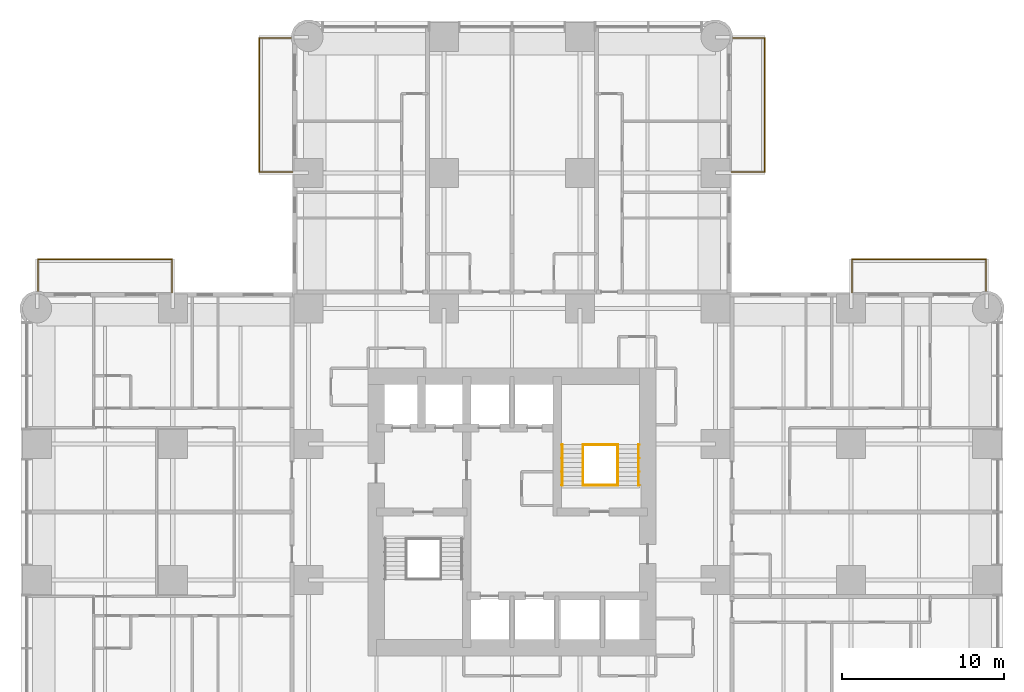
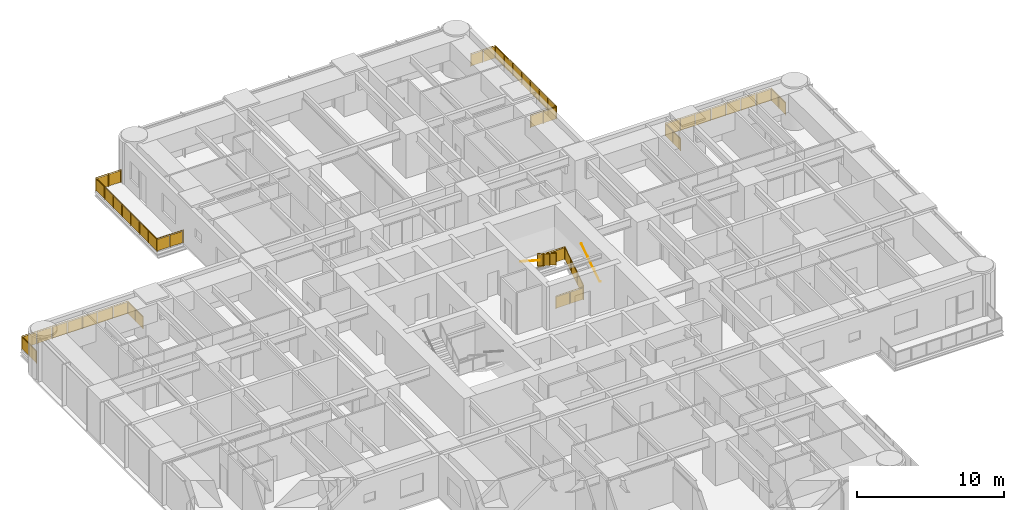
# One storey, part 17 of 17: 10 railings.
"""IFC4 building model written with IfcOpenShell, lengths in metres."""

from ifc_helpers import new_model, si_unit, direction, frame, origin, origin_2d, place, context, subcontext, project, spatial, polyline, circle, outline, extrude, material, constituent, constituent_set, type_object, element, save


model = new_model("IFC4")

# Units and contexts
model_context = context("Model", 3, precision=1e-05, world=origin(), true_north=direction((0.0, 1.0)))
body_context = subcontext(model_context, "Body", "Model", "MODEL_VIEW")
ifc_project = project(units=[si_unit("LENGTHUNIT", "METRE"), si_unit("AREAUNIT", "SQUARE_METRE"), si_unit("VOLUMEUNIT", "CUBIC_METRE"), si_unit("PLANEANGLEUNIT", "RADIAN"), si_unit("MASSUNIT", "GRAM", prefix="KILO")], contexts=[model_context])

# Site, building, storey
site_placement = place(None, origin())
site = spatial("IfcSite", under=ifc_project, at=site_placement, CompositionType="ELEMENT")
building_placement = place(site_placement, origin())
building = spatial("IfcBuilding", under=site, at=building_placement, Name="Torre Alcanfor", CompositionType="ELEMENT")
storey_placement = place(building_placement, frame((0.0, 0.0, 92.10009765625)))
storey = spatial("IfcBuildingStorey", under=building, at=storey_placement, Name="L23", CompositionType="ELEMENT", Elevation=92.10009765625)

# Railings
ifc_material_1 = material(Name="Laminated safety glass", Category="glass")
ifc_constituent_1 = constituent(ifc_material_1, Name="Infill")
ifc_material_2 = material(Name="Stainless steel ASTM A554 Grade MT 316L tube", Category="steel")
ifc_constituent_2 = constituent(ifc_material_2, Name="Posts and rail")
ifc_constituent_set = constituent_set(constituents=[ifc_constituent_1, ifc_constituent_2], Name="Balcony guard glass 1100")
railing_type_1 = type_object("IfcRailingType", Name="Balcony guard glass 1100", PredefinedType="BALUSTRADE", material=ifc_constituent_set)
railing_1_placement = place(storey_placement, frame((15.800048828125, 50.449951171875, 0.0)))
element("IfcRailing", 1, at=railing_1_placement, inside=storey, type_object=railing_type_1, Name="Balcony guard L23-N1", PredefinedType="BALUSTRADE", context=body_context, shape_type="SweptSolid", body=[
    extrude(circle(Radius=0.02392578125, at=origin_2d()), frame((0.0, 0.0, 1.076171875), z_axis=(-1.0, 0.0, 0.0), x_axis=(0.0, -1.0, 0.0)), (0.0, 0.0, 1.0), 2.050048828125),
    extrude(circle(Radius=0.02392578125, at=origin_2d()), frame((-2.050048828125, 0.0, 1.076171875), z_axis=(0.0, 1.0, 0.0), x_axis=(-1.0, 0.0, 0.0)), (0.0, 0.0, 1.0), 8.300048828125),
    extrude(circle(Radius=0.02392578125, at=origin_2d()), frame((-2.050048828125, 8.300048828125, 1.076171875), z_axis=(1.0, 0.0, 0.0), x_axis=(0.0, 1.0, 0.0)), (0.0, 0.0, 1.0), 1.968994140625),
    extrude(circle(Radius=0.02099609375, at=origin_2d()), origin(), (0.0, 0.0, 1.0), 1.052001953125),
    extrude(circle(Radius=0.02099609375, at=origin_2d()), frame((-1.02490234375, 0.0, 0.0)), (0.0, 0.0, 1.0), 1.052001953125),
    extrude(circle(Radius=0.02099609375, at=origin_2d()), frame((-2.050048828125, 0.0, 0.0)), (0.0, 0.0, 1.0), 1.052001953125),
    extrude(circle(Radius=0.02099609375, at=origin_2d()), frame((-2.050048828125, 1.185791015625, 0.0)), (0.0, 0.0, 1.0), 1.052001953125),
    extrude(circle(Radius=0.02099609375, at=origin_2d()), frame((-2.050048828125, 2.371337890625, 0.0)), (0.0, 0.0, 1.0), 1.052001953125),
    extrude(circle(Radius=0.02099609375, at=origin_2d()), frame((-2.050048828125, 3.55712890625, 0.0)), (0.0, 0.0, 1.0), 1.052001953125),
    extrude(circle(Radius=0.02099609375, at=origin_2d()), frame((-2.050048828125, 4.742919921875, 0.0)), (0.0, 0.0, 1.0), 1.052001953125),
    extrude(circle(Radius=0.02099609375, at=origin_2d()), frame((-2.050048828125, 5.9287109375, 0.0)), (0.0, 0.0, 1.0), 1.052001953125),
    extrude(circle(Radius=0.02099609375, at=origin_2d()), frame((-2.050048828125, 7.1142578125, 0.0)), (0.0, 0.0, 1.0), 1.052001953125),
    extrude(circle(Radius=0.02099609375, at=origin_2d()), frame((-2.050048828125, 8.300048828125, 0.0)), (0.0, 0.0, 1.0), 1.052001953125),
    extrude(circle(Radius=0.02099609375, at=origin_2d()), frame((-1.0654296875, 8.300048828125, 0.0)), (0.0, 0.0, 1.0), 1.052001953125),
    extrude(circle(Radius=0.02099609375, at=origin_2d()), frame((-0.0810546875, 8.300048828125, 0.0)), (0.0, 0.0, 1.0), 1.052001953125),
    extrude(outline(polyline([(0.041015625, 0.050048828125), (0.984130859375, 0.050048828125), (0.984130859375, 1.001953125), (0.041015625, 1.001953125), (0.041015625, 0.050048828125)])), frame((0.0, -0.005859375, 0.0), z_axis=(0.0, 1.0, 0.0), x_axis=(-1.0, 0.0, 0.0)), (0.0, 0.0, 1.0), 0.011962890625),
    extrude(outline(polyline([(1.06591796875, 0.050048828125), (2.009033203125, 0.050048828125), (2.009033203125, 1.001953125), (1.06591796875, 1.001953125), (1.06591796875, 0.050048828125)])), frame((0.0, -0.005859375, 0.0), z_axis=(0.0, 1.0, 0.0), x_axis=(-1.0, 0.0, 0.0)), (0.0, 0.0, 1.0), 0.011962890625),
    extrude(outline(polyline([(0.041015625, 0.050048828125), (1.144775390625, 0.050048828125), (1.144775390625, 1.001953125), (0.041015625, 1.001953125), (0.041015625, 0.050048828125)])), frame((-2.05615234375, 0.0, 0.0), z_axis=(1.0, 0.0, 0.0), x_axis=(0.0, 1.0, 0.0)), (0.0, 0.0, 1.0), 0.011962890625),
    extrude(outline(polyline([(1.226806640625, 0.050048828125), (2.330322265625, 0.050048828125), (2.330322265625, 1.001953125), (1.226806640625, 1.001953125), (1.226806640625, 0.050048828125)])), frame((-2.05615234375, 0.0, 0.0), z_axis=(1.0, 0.0, 0.0), x_axis=(0.0, 1.0, 0.0)), (0.0, 0.0, 1.0), 0.011962890625),
    extrude(outline(polyline([(2.412353515625, 0.050048828125), (3.51611328125, 0.050048828125), (3.51611328125, 1.001953125), (2.412353515625, 1.001953125), (2.412353515625, 0.050048828125)])), frame((-2.05615234375, 0.0, 0.0), z_axis=(1.0, 0.0, 0.0), x_axis=(0.0, 1.0, 0.0)), (0.0, 0.0, 1.0), 0.011962890625),
    extrude(outline(polyline([(3.59814453125, 0.050048828125), (4.701904296875, 0.050048828125), (4.701904296875, 1.001953125), (3.59814453125, 1.001953125), (3.59814453125, 0.050048828125)])), frame((-2.05615234375, 0.0, 0.0), z_axis=(1.0, 0.0, 0.0), x_axis=(0.0, 1.0, 0.0)), (0.0, 0.0, 1.0), 0.011962890625),
    extrude(outline(polyline([(4.783935546875, 0.050048828125), (5.8876953125, 0.050048828125), (5.8876953125, 1.001953125), (4.783935546875, 1.001953125), (4.783935546875, 0.050048828125)])), frame((-2.05615234375, 0.0, 0.0), z_axis=(1.0, 0.0, 0.0), x_axis=(0.0, 1.0, 0.0)), (0.0, 0.0, 1.0), 0.011962890625),
    extrude(outline(polyline([(5.9697265625, 0.050048828125), (7.0732421875, 0.050048828125), (7.0732421875, 1.001953125), (5.9697265625, 1.001953125), (5.9697265625, 0.050048828125)])), frame((-2.05615234375, 0.0, 0.0), z_axis=(1.0, 0.0, 0.0), x_axis=(0.0, 1.0, 0.0)), (0.0, 0.0, 1.0), 0.011962890625),
    extrude(outline(polyline([(7.1552734375, 0.050048828125), (8.259033203125, 0.050048828125), (8.259033203125, 1.001953125), (7.1552734375, 1.001953125), (7.1552734375, 0.050048828125)])), frame((-2.05615234375, 0.0, 0.0), z_axis=(1.0, 0.0, 0.0), x_axis=(0.0, 1.0, 0.0)), (0.0, 0.0, 1.0), 0.011962890625),
    extrude(outline(polyline([(0.041015625, 0.050048828125), (0.943603515625, 0.050048828125), (0.943603515625, 1.001953125), (0.041015625, 1.001953125), (0.041015625, 0.050048828125)])), frame((-2.050048828125, 8.30615234375, 0.0), z_axis=(0.0, -1.0, 0.0), x_axis=(1.0, 0.0, 0.0)), (0.0, 0.0, 1.0), 0.011962890625),
    extrude(outline(polyline([(1.025390625, 0.050048828125), (1.927978515625, 0.050048828125), (1.927978515625, 1.001953125), (1.025390625, 1.001953125), (1.025390625, 0.050048828125)])), frame((-2.050048828125, 8.30615234375, 0.0), z_axis=(0.0, -1.0, 0.0), x_axis=(1.0, 0.0, 0.0)), (0.0, 0.0, 1.0), 0.011962890625),
])
railing_2_placement = place(storey_placement, frame((43.0, 50.449951171875, 0.0)))
element("IfcRailing", 2, at=railing_2_placement, inside=storey, type_object=railing_type_1, Name="Balcony guard L23-N2", PredefinedType="BALUSTRADE", context=body_context, shape_type="SweptSolid", body=[
    extrude(circle(Radius=0.02392578125, at=origin_2d()), frame((0.0, 0.0, 1.076171875), z_axis=(1.0, 0.0, 0.0), x_axis=(0.0, 1.0, 0.0)), (0.0, 0.0, 1.0), 2.050048828125),
    extrude(circle(Radius=0.02392578125, at=origin_2d()), frame((2.050048828125, 0.0, 1.076171875), z_axis=(0.0, 1.0, 0.0), x_axis=(-1.0, 0.0, 0.0)), (0.0, 0.0, 1.0), 8.300048828125),
    extrude(circle(Radius=0.02392578125, at=origin_2d()), frame((2.050048828125, 8.300048828125, 1.076171875), z_axis=(-1.0, 0.0, 0.0), x_axis=(0.0, -1.0, 0.0)), (0.0, 0.0, 1.0), 1.968994140625),
    extrude(circle(Radius=0.02099609375, at=origin_2d()), origin(), (0.0, 0.0, 1.0), 1.052001953125),
    extrude(circle(Radius=0.02099609375, at=origin_2d()), frame((1.02490234375, 0.0, 0.0)), (0.0, 0.0, 1.0), 1.052001953125),
    extrude(circle(Radius=0.02099609375, at=origin_2d()), frame((2.050048828125, 0.0, 0.0)), (0.0, 0.0, 1.0), 1.052001953125),
    extrude(circle(Radius=0.02099609375, at=origin_2d()), frame((2.050048828125, 1.185791015625, 0.0)), (0.0, 0.0, 1.0), 1.052001953125),
    extrude(circle(Radius=0.02099609375, at=origin_2d()), frame((2.050048828125, 2.371337890625, 0.0)), (0.0, 0.0, 1.0), 1.052001953125),
    extrude(circle(Radius=0.02099609375, at=origin_2d()), frame((2.050048828125, 3.55712890625, 0.0)), (0.0, 0.0, 1.0), 1.052001953125),
    extrude(circle(Radius=0.02099609375, at=origin_2d()), frame((2.050048828125, 4.742919921875, 0.0)), (0.0, 0.0, 1.0), 1.052001953125),
    extrude(circle(Radius=0.02099609375, at=origin_2d()), frame((2.050048828125, 5.9287109375, 0.0)), (0.0, 0.0, 1.0), 1.052001953125),
    extrude(circle(Radius=0.02099609375, at=origin_2d()), frame((2.050048828125, 7.1142578125, 0.0)), (0.0, 0.0, 1.0), 1.052001953125),
    extrude(circle(Radius=0.02099609375, at=origin_2d()), frame((2.050048828125, 8.300048828125, 0.0)), (0.0, 0.0, 1.0), 1.052001953125),
    extrude(circle(Radius=0.02099609375, at=origin_2d()), frame((1.0654296875, 8.300048828125, 0.0)), (0.0, 0.0, 1.0), 1.052001953125),
    extrude(circle(Radius=0.02099609375, at=origin_2d()), frame((0.0810546875, 8.300048828125, 0.0)), (0.0, 0.0, 1.0), 1.052001953125),
    extrude(outline(polyline([(0.041015625, 0.050048828125), (0.984130859375, 0.050048828125), (0.984130859375, 1.001953125), (0.041015625, 1.001953125), (0.041015625, 0.050048828125)])), frame((0.0, 0.005859375, 0.0), z_axis=(0.0, -1.0, 0.0), x_axis=(1.0, 0.0, 0.0)), (0.0, 0.0, 1.0), 0.011962890625),
    extrude(outline(polyline([(1.06591796875, 0.050048828125), (2.009033203125, 0.050048828125), (2.009033203125, 1.001953125), (1.06591796875, 1.001953125), (1.06591796875, 0.050048828125)])), frame((0.0, 0.005859375, 0.0), z_axis=(0.0, -1.0, 0.0), x_axis=(1.0, 0.0, 0.0)), (0.0, 0.0, 1.0), 0.011962890625),
    extrude(outline(polyline([(0.041015625, 0.050048828125), (1.144775390625, 0.050048828125), (1.144775390625, 1.001953125), (0.041015625, 1.001953125), (0.041015625, 0.050048828125)])), frame((2.0439453125, 0.0, 0.0), z_axis=(1.0, 0.0, 0.0), x_axis=(0.0, 1.0, 0.0)), (0.0, 0.0, 1.0), 0.011962890625),
    extrude(outline(polyline([(1.226806640625, 0.050048828125), (2.330322265625, 0.050048828125), (2.330322265625, 1.001953125), (1.226806640625, 1.001953125), (1.226806640625, 0.050048828125)])), frame((2.0439453125, 0.0, 0.0), z_axis=(1.0, 0.0, 0.0), x_axis=(0.0, 1.0, 0.0)), (0.0, 0.0, 1.0), 0.011962890625),
    extrude(outline(polyline([(2.412353515625, 0.050048828125), (3.51611328125, 0.050048828125), (3.51611328125, 1.001953125), (2.412353515625, 1.001953125), (2.412353515625, 0.050048828125)])), frame((2.0439453125, 0.0, 0.0), z_axis=(1.0, 0.0, 0.0), x_axis=(0.0, 1.0, 0.0)), (0.0, 0.0, 1.0), 0.011962890625),
    extrude(outline(polyline([(3.59814453125, 0.050048828125), (4.701904296875, 0.050048828125), (4.701904296875, 1.001953125), (3.59814453125, 1.001953125), (3.59814453125, 0.050048828125)])), frame((2.0439453125, 0.0, 0.0), z_axis=(1.0, 0.0, 0.0), x_axis=(0.0, 1.0, 0.0)), (0.0, 0.0, 1.0), 0.011962890625),
    extrude(outline(polyline([(4.783935546875, 0.050048828125), (5.8876953125, 0.050048828125), (5.8876953125, 1.001953125), (4.783935546875, 1.001953125), (4.783935546875, 0.050048828125)])), frame((2.0439453125, 0.0, 0.0), z_axis=(1.0, 0.0, 0.0), x_axis=(0.0, 1.0, 0.0)), (0.0, 0.0, 1.0), 0.011962890625),
    extrude(outline(polyline([(5.9697265625, 0.050048828125), (7.0732421875, 0.050048828125), (7.0732421875, 1.001953125), (5.9697265625, 1.001953125), (5.9697265625, 0.050048828125)])), frame((2.0439453125, 0.0, 0.0), z_axis=(1.0, 0.0, 0.0), x_axis=(0.0, 1.0, 0.0)), (0.0, 0.0, 1.0), 0.011962890625),
    extrude(outline(polyline([(7.1552734375, 0.050048828125), (8.259033203125, 0.050048828125), (8.259033203125, 1.001953125), (7.1552734375, 1.001953125), (7.1552734375, 0.050048828125)])), frame((2.0439453125, 0.0, 0.0), z_axis=(1.0, 0.0, 0.0), x_axis=(0.0, 1.0, 0.0)), (0.0, 0.0, 1.0), 0.011962890625),
    extrude(outline(polyline([(0.041015625, 0.050048828125), (0.943603515625, 0.050048828125), (0.943603515625, 1.001953125), (0.041015625, 1.001953125), (0.041015625, 0.050048828125)])), frame((2.050048828125, 8.2939453125, 0.0), z_axis=(0.0, 1.0, 0.0), x_axis=(-1.0, 0.0, 0.0)), (0.0, 0.0, 1.0), 0.011962890625),
    extrude(outline(polyline([(1.025390625, 0.050048828125), (1.927978515625, 0.050048828125), (1.927978515625, 1.001953125), (1.025390625, 1.001953125), (1.025390625, 0.050048828125)])), frame((2.050048828125, 8.2939453125, 0.0), z_axis=(0.0, 1.0, 0.0), x_axis=(-1.0, 0.0, 0.0)), (0.0, 0.0, 1.0), 0.011962890625),
])
railing_3_placement = place(storey_placement, frame((50.449951171875, 43.0, 0.0)))
element("IfcRailing", 3, at=railing_3_placement, inside=storey, type_object=railing_type_1, Name="Balcony guard L23-E1", PredefinedType="BALUSTRADE", context=body_context, shape_type="SweptSolid", body=[
    extrude(circle(Radius=0.02392578125, at=origin_2d()), frame((0.0, 0.0, 1.076171875), z_axis=(0.0, 1.0, 0.0), x_axis=(-1.0, 0.0, 0.0)), (0.0, 0.0, 1.0), 2.050048828125),
    extrude(circle(Radius=0.02392578125, at=origin_2d()), frame((0.0, 2.050048828125, 1.076171875), z_axis=(1.0, 0.0, 0.0), x_axis=(0.0, 1.0, 0.0)), (0.0, 0.0, 1.0), 8.300048828125),
    extrude(circle(Radius=0.02392578125, at=origin_2d()), frame((8.300048828125, 2.050048828125, 1.076171875), z_axis=(0.0, -1.0, 0.0), x_axis=(1.0, 0.0, 0.0)), (0.0, 0.0, 1.0), 1.968994140625),
    extrude(circle(Radius=0.02099609375, at=origin_2d()), origin(), (0.0, 0.0, 1.0), 1.052001953125),
    extrude(circle(Radius=0.02099609375, at=origin_2d()), frame((0.0, 1.02490234375, 0.0)), (0.0, 0.0, 1.0), 1.052001953125),
    extrude(circle(Radius=0.02099609375, at=origin_2d()), frame((0.0, 2.050048828125, 0.0)), (0.0, 0.0, 1.0), 1.052001953125),
    extrude(circle(Radius=0.02099609375, at=origin_2d()), frame((1.185791015625, 2.050048828125, 0.0)), (0.0, 0.0, 1.0), 1.052001953125),
    extrude(circle(Radius=0.02099609375, at=origin_2d()), frame((2.371337890625, 2.050048828125, 0.0)), (0.0, 0.0, 1.0), 1.052001953125),
    extrude(circle(Radius=0.02099609375, at=origin_2d()), frame((3.55712890625, 2.050048828125, 0.0)), (0.0, 0.0, 1.0), 1.052001953125),
    extrude(circle(Radius=0.02099609375, at=origin_2d()), frame((4.742919921875, 2.050048828125, 0.0)), (0.0, 0.0, 1.0), 1.052001953125),
    extrude(circle(Radius=0.02099609375, at=origin_2d()), frame((5.9287109375, 2.050048828125, 0.0)), (0.0, 0.0, 1.0), 1.052001953125),
    extrude(circle(Radius=0.02099609375, at=origin_2d()), frame((7.1142578125, 2.050048828125, 0.0)), (0.0, 0.0, 1.0), 1.052001953125),
    extrude(circle(Radius=0.02099609375, at=origin_2d()), frame((8.300048828125, 2.050048828125, 0.0)), (0.0, 0.0, 1.0), 1.052001953125),
    extrude(circle(Radius=0.02099609375, at=origin_2d()), frame((8.300048828125, 1.0654296875, 0.0)), (0.0, 0.0, 1.0), 1.052001953125),
    extrude(circle(Radius=0.02099609375, at=origin_2d()), frame((8.300048828125, 0.0810546875, 0.0)), (0.0, 0.0, 1.0), 1.052001953125),
    extrude(outline(polyline([(0.041015625, 0.050048828125), (0.984130859375, 0.050048828125), (0.984130859375, 1.001953125), (0.041015625, 1.001953125), (0.041015625, 0.050048828125)])), frame((-0.005859375, 0.0, 0.0), z_axis=(1.0, 0.0, 0.0), x_axis=(0.0, 1.0, 0.0)), (0.0, 0.0, 1.0), 0.011962890625),
    extrude(outline(polyline([(1.06591796875, 0.050048828125), (2.009033203125, 0.050048828125), (2.009033203125, 1.001953125), (1.06591796875, 1.001953125), (1.06591796875, 0.050048828125)])), frame((-0.005859375, 0.0, 0.0), z_axis=(1.0, 0.0, 0.0), x_axis=(0.0, 1.0, 0.0)), (0.0, 0.0, 1.0), 0.011962890625),
    extrude(outline(polyline([(0.041015625, 0.050048828125), (1.144775390625, 0.050048828125), (1.144775390625, 1.001953125), (0.041015625, 1.001953125), (0.041015625, 0.050048828125)])), frame((0.0, 2.05615234375, 0.0), z_axis=(0.0, -1.0, 0.0), x_axis=(1.0, 0.0, 0.0)), (0.0, 0.0, 1.0), 0.011962890625),
    extrude(outline(polyline([(1.226806640625, 0.050048828125), (2.330322265625, 0.050048828125), (2.330322265625, 1.001953125), (1.226806640625, 1.001953125), (1.226806640625, 0.050048828125)])), frame((0.0, 2.05615234375, 0.0), z_axis=(0.0, -1.0, 0.0), x_axis=(1.0, 0.0, 0.0)), (0.0, 0.0, 1.0), 0.011962890625),
    extrude(outline(polyline([(2.412353515625, 0.050048828125), (3.51611328125, 0.050048828125), (3.51611328125, 1.001953125), (2.412353515625, 1.001953125), (2.412353515625, 0.050048828125)])), frame((0.0, 2.05615234375, 0.0), z_axis=(0.0, -1.0, 0.0), x_axis=(1.0, 0.0, 0.0)), (0.0, 0.0, 1.0), 0.011962890625),
    extrude(outline(polyline([(3.59814453125, 0.050048828125), (4.701904296875, 0.050048828125), (4.701904296875, 1.001953125), (3.59814453125, 1.001953125), (3.59814453125, 0.050048828125)])), frame((0.0, 2.05615234375, 0.0), z_axis=(0.0, -1.0, 0.0), x_axis=(1.0, 0.0, 0.0)), (0.0, 0.0, 1.0), 0.011962890625),
    extrude(outline(polyline([(4.783935546875, 0.050048828125), (5.8876953125, 0.050048828125), (5.8876953125, 1.001953125), (4.783935546875, 1.001953125), (4.783935546875, 0.050048828125)])), frame((0.0, 2.05615234375, 0.0), z_axis=(0.0, -1.0, 0.0), x_axis=(1.0, 0.0, 0.0)), (0.0, 0.0, 1.0), 0.011962890625),
    extrude(outline(polyline([(5.9697265625, 0.050048828125), (7.0732421875, 0.050048828125), (7.0732421875, 1.001953125), (5.9697265625, 1.001953125), (5.9697265625, 0.050048828125)])), frame((0.0, 2.05615234375, 0.0), z_axis=(0.0, -1.0, 0.0), x_axis=(1.0, 0.0, 0.0)), (0.0, 0.0, 1.0), 0.011962890625),
    extrude(outline(polyline([(7.1552734375, 0.050048828125), (8.259033203125, 0.050048828125), (8.259033203125, 1.001953125), (7.1552734375, 1.001953125), (7.1552734375, 0.050048828125)])), frame((0.0, 2.05615234375, 0.0), z_axis=(0.0, -1.0, 0.0), x_axis=(1.0, 0.0, 0.0)), (0.0, 0.0, 1.0), 0.011962890625),
    extrude(outline(polyline([(0.041015625, 0.050048828125), (0.943603515625, 0.050048828125), (0.943603515625, 1.001953125), (0.041015625, 1.001953125), (0.041015625, 0.050048828125)])), frame((8.30615234375, 2.050048828125, 0.0), z_axis=(-1.0, 0.0, 0.0), x_axis=(0.0, -1.0, 0.0)), (0.0, 0.0, 1.0), 0.011962890625),
    extrude(outline(polyline([(1.025390625, 0.050048828125), (1.927978515625, 0.050048828125), (1.927978515625, 1.001953125), (1.025390625, 1.001953125), (1.025390625, 0.050048828125)])), frame((8.30615234375, 2.050048828125, 0.0), z_axis=(-1.0, 0.0, 0.0), x_axis=(0.0, -1.0, 0.0)), (0.0, 0.0, 1.0), 0.011962890625),
])
railing_4_placement = place(storey_placement, frame((8.35009765625, 43.0, 0.0)))
element("IfcRailing", 4, at=railing_4_placement, inside=storey, type_object=railing_type_1, Name="Balcony guard L23-W2", PredefinedType="BALUSTRADE", context=body_context, shape_type="SweptSolid", body=[
    extrude(circle(Radius=0.02392578125, at=origin_2d()), frame((0.0, 0.0, 1.076171875), z_axis=(0.0, 1.0, 0.0), x_axis=(-1.0, 0.0, 0.0)), (0.0, 0.0, 1.0), 2.050048828125),
    extrude(circle(Radius=0.02392578125, at=origin_2d()), frame((0.0, 2.050048828125, 1.076171875), z_axis=(-1.0, 0.0, 0.0), x_axis=(0.0, -1.0, 0.0)), (0.0, 0.0, 1.0), 8.300048828125),
    extrude(circle(Radius=0.02392578125, at=origin_2d()), frame((-8.300048828125, 2.050048828125, 1.076171875), z_axis=(0.0, -1.0, 0.0), x_axis=(1.0, 0.0, 0.0)), (0.0, 0.0, 1.0), 1.968994140625),
    extrude(circle(Radius=0.02099609375, at=origin_2d()), origin(), (0.0, 0.0, 1.0), 1.052001953125),
    extrude(circle(Radius=0.02099609375, at=origin_2d()), frame((0.0, 1.02490234375, 0.0)), (0.0, 0.0, 1.0), 1.052001953125),
    extrude(circle(Radius=0.02099609375, at=origin_2d()), frame((0.0, 2.050048828125, 0.0)), (0.0, 0.0, 1.0), 1.052001953125),
    extrude(circle(Radius=0.02099609375, at=origin_2d()), frame((-1.185791015625, 2.050048828125, 0.0)), (0.0, 0.0, 1.0), 1.052001953125),
    extrude(circle(Radius=0.02099609375, at=origin_2d()), frame((-2.371337890625, 2.050048828125, 0.0)), (0.0, 0.0, 1.0), 1.052001953125),
    extrude(circle(Radius=0.02099609375, at=origin_2d()), frame((-3.55712890625, 2.050048828125, 0.0)), (0.0, 0.0, 1.0), 1.052001953125),
    extrude(circle(Radius=0.02099609375, at=origin_2d()), frame((-4.742919921875, 2.050048828125, 0.0)), (0.0, 0.0, 1.0), 1.052001953125),
    extrude(circle(Radius=0.02099609375, at=origin_2d()), frame((-5.9287109375, 2.050048828125, 0.0)), (0.0, 0.0, 1.0), 1.052001953125),
    extrude(circle(Radius=0.02099609375, at=origin_2d()), frame((-7.1142578125, 2.050048828125, 0.0)), (0.0, 0.0, 1.0), 1.052001953125),
    extrude(circle(Radius=0.02099609375, at=origin_2d()), frame((-8.300048828125, 2.050048828125, 0.0)), (0.0, 0.0, 1.0), 1.052001953125),
    extrude(circle(Radius=0.02099609375, at=origin_2d()), frame((-8.300048828125, 1.0654296875, 0.0)), (0.0, 0.0, 1.0), 1.052001953125),
    extrude(circle(Radius=0.02099609375, at=origin_2d()), frame((-8.300048828125, 0.0810546875, 0.0)), (0.0, 0.0, 1.0), 1.052001953125),
    extrude(outline(polyline([(0.041015625, 0.050048828125), (0.984130859375, 0.050048828125), (0.984130859375, 1.001953125), (0.041015625, 1.001953125), (0.041015625, 0.050048828125)])), frame((-0.005859375, 0.0, 0.0), z_axis=(1.0, 0.0, 0.0), x_axis=(0.0, 1.0, 0.0)), (0.0, 0.0, 1.0), 0.011962890625),
    extrude(outline(polyline([(1.06591796875, 0.050048828125), (2.009033203125, 0.050048828125), (2.009033203125, 1.001953125), (1.06591796875, 1.001953125), (1.06591796875, 0.050048828125)])), frame((-0.005859375, 0.0, 0.0), z_axis=(1.0, 0.0, 0.0), x_axis=(0.0, 1.0, 0.0)), (0.0, 0.0, 1.0), 0.011962890625),
    extrude(outline(polyline([(0.041015625, 0.050048828125), (1.144775390625, 0.050048828125), (1.144775390625, 1.001953125), (0.041015625, 1.001953125), (0.041015625, 0.050048828125)])), frame((0.0, 2.0439453125, 0.0), z_axis=(0.0, 1.0, 0.0), x_axis=(-1.0, 0.0, 0.0)), (0.0, 0.0, 1.0), 0.011962890625),
    extrude(outline(polyline([(1.226806640625, 0.050048828125), (2.330322265625, 0.050048828125), (2.330322265625, 1.001953125), (1.226806640625, 1.001953125), (1.226806640625, 0.050048828125)])), frame((0.0, 2.0439453125, 0.0), z_axis=(0.0, 1.0, 0.0), x_axis=(-1.0, 0.0, 0.0)), (0.0, 0.0, 1.0), 0.011962890625),
    extrude(outline(polyline([(2.412353515625, 0.050048828125), (3.51611328125, 0.050048828125), (3.51611328125, 1.001953125), (2.412353515625, 1.001953125), (2.412353515625, 0.050048828125)])), frame((0.0, 2.0439453125, 0.0), z_axis=(0.0, 1.0, 0.0), x_axis=(-1.0, 0.0, 0.0)), (0.0, 0.0, 1.0), 0.011962890625),
    extrude(outline(polyline([(3.59814453125, 0.050048828125), (4.701904296875, 0.050048828125), (4.701904296875, 1.001953125), (3.59814453125, 1.001953125), (3.59814453125, 0.050048828125)])), frame((0.0, 2.0439453125, 0.0), z_axis=(0.0, 1.0, 0.0), x_axis=(-1.0, 0.0, 0.0)), (0.0, 0.0, 1.0), 0.011962890625),
    extrude(outline(polyline([(4.783935546875, 0.050048828125), (5.8876953125, 0.050048828125), (5.8876953125, 1.001953125), (4.783935546875, 1.001953125), (4.783935546875, 0.050048828125)])), frame((0.0, 2.0439453125, 0.0), z_axis=(0.0, 1.0, 0.0), x_axis=(-1.0, 0.0, 0.0)), (0.0, 0.0, 1.0), 0.011962890625),
    extrude(outline(polyline([(5.9697265625, 0.050048828125), (7.0732421875, 0.050048828125), (7.0732421875, 1.001953125), (5.9697265625, 1.001953125), (5.9697265625, 0.050048828125)])), frame((0.0, 2.0439453125, 0.0), z_axis=(0.0, 1.0, 0.0), x_axis=(-1.0, 0.0, 0.0)), (0.0, 0.0, 1.0), 0.011962890625),
    extrude(outline(polyline([(7.1552734375, 0.050048828125), (8.259033203125, 0.050048828125), (8.259033203125, 1.001953125), (7.1552734375, 1.001953125), (7.1552734375, 0.050048828125)])), frame((0.0, 2.0439453125, 0.0), z_axis=(0.0, 1.0, 0.0), x_axis=(-1.0, 0.0, 0.0)), (0.0, 0.0, 1.0), 0.011962890625),
    extrude(outline(polyline([(0.041015625, 0.050048828125), (0.943603515625, 0.050048828125), (0.943603515625, 1.001953125), (0.041015625, 1.001953125), (0.041015625, 0.050048828125)])), frame((-8.2939453125, 2.050048828125, 0.0), z_axis=(-1.0, 0.0, 0.0), x_axis=(0.0, -1.0, 0.0)), (0.0, 0.0, 1.0), 0.011962890625),
    extrude(outline(polyline([(1.025390625, 0.050048828125), (1.927978515625, 0.050048828125), (1.927978515625, 1.001953125), (1.025390625, 1.001953125), (1.025390625, 0.050048828125)])), frame((-8.2939453125, 2.050048828125, 0.0), z_axis=(-1.0, 0.0, 0.0), x_axis=(0.0, -1.0, 0.0)), (0.0, 0.0, 1.0), 0.011962890625),
])
ifc_material_3 = material(Name="Steel ASTM A500 Grade C hollow sections", Category="steel")
railing_type_2 = type_object("IfcRailingType", Name="Stair guard and handrail 1100", PredefinedType="GUARDRAIL", material=ifc_material_3)
railing_5_placement = place(storey_placement, frame((35.949951171875, 31.050048828125, 0.179931640625)))
element("IfcRailing", 5, at=railing_5_placement, inside=storey, type_object=railing_type_2, Name="Stair guard S2 L23 flight 1", PredefinedType="GUARDRAIL", context=body_context, shape_type="SweptSolid", body=[
    extrude(circle(Radius=0.02392578125, at=origin_2d()), frame((0.0, 0.0, 1.076171875), z_axis=(0.0, 0.841199657755, 0.540724639528), x_axis=(-1.0, 0.0, 0.0)), (0.0, 0.0, 1.0), 2.995849609375),
    extrude(circle(Radius=0.02099609375, at=origin_2d()), origin(), (0.0, 0.0, 1.0), 1.052001953125),
    extrude(circle(Radius=0.02099609375, at=origin_2d()), frame((0.0, 0.840087890625, 0.5400390625)), (0.0, 0.0, 1.0), 1.052001953125),
    extrude(circle(Radius=0.02099609375, at=origin_2d()), frame((0.0, 1.679931640625, 1.079833984375)), (0.0, 0.0, 1.0), 1.052001953125),
    extrude(circle(Radius=0.02099609375, at=origin_2d()), frame((0.0, 2.52001953125, 1.619873046875)), (0.0, 0.0, 1.0), 1.052001953125),
    extrude(outline(polyline([(0.041015625, 0.076416015625), (0.799072265625, 0.563720703125), (0.799072265625, 1.515625), (0.041015625, 1.0283203125), (0.041015625, 0.076416015625)])), frame((-0.005859375, 0.0, 0.0), z_axis=(1.0, 0.0, 0.0), x_axis=(0.0, 1.0, 0.0)), (0.0, 0.0, 1.0), 0.011962890625),
    extrude(outline(polyline([(0.881103515625, 0.6162109375), (1.638916015625, 1.103515625), (1.638916015625, 2.0556640625), (0.881103515625, 1.568359375), (0.881103515625, 0.6162109375)])), frame((-0.005859375, 0.0, 0.0), z_axis=(1.0, 0.0, 0.0), x_axis=(0.0, 1.0, 0.0)), (0.0, 0.0, 1.0), 0.011962890625),
    extrude(outline(polyline([(1.720947265625, 1.15625), (2.47900390625, 1.6435546875), (2.47900390625, 2.595458984375), (1.720947265625, 2.108154296875), (1.720947265625, 1.15625)])), frame((-0.005859375, 0.0, 0.0), z_axis=(1.0, 0.0, 0.0), x_axis=(0.0, 1.0, 0.0)), (0.0, 0.0, 1.0), 0.011962890625),
])
railing_6_placement = place(storey_placement, frame((33.800048828125, 33.570068359375, 1.97998046875)))
element("IfcRailing", 6, at=railing_6_placement, inside=storey, type_object=railing_type_2, Name="Stair guard S2 L23 flight 2", PredefinedType="GUARDRAIL", context=body_context, shape_type="SweptSolid", body=[
    extrude(circle(Radius=0.02392578125, at=origin_2d()), frame((0.0, 0.0, 1.076171875), z_axis=(0.0, -0.841199657755, 0.540724639528), x_axis=(1.0, 0.0, 0.0)), (0.0, 0.0, 1.0), 2.995849609375),
    extrude(circle(Radius=0.02099609375, at=origin_2d()), origin(), (0.0, 0.0, 1.0), 1.052001953125),
    extrude(circle(Radius=0.02099609375, at=origin_2d()), frame((0.0, -0.840087890625, 0.5400390625)), (0.0, 0.0, 1.0), 1.052001953125),
    extrude(circle(Radius=0.02099609375, at=origin_2d()), frame((0.0, -1.679931640625, 1.079833984375)), (0.0, 0.0, 1.0), 1.052001953125),
    extrude(circle(Radius=0.02099609375, at=origin_2d()), frame((0.0, -2.52001953125, 1.619873046875)), (0.0, 0.0, 1.0), 1.052001953125),
    extrude(outline(polyline([(0.041015625, 0.076416015625), (0.799072265625, 0.563720703125), (0.799072265625, 1.515625), (0.041015625, 1.0283203125), (0.041015625, 0.076416015625)])), frame((0.005859375, 0.0, 0.0), z_axis=(-1.0, 0.0, 0.0), x_axis=(0.0, -1.0, 0.0)), (0.0, 0.0, 1.0), 0.011962890625),
    extrude(outline(polyline([(0.881103515625, 0.6162109375), (1.638916015625, 1.103515625), (1.638916015625, 2.0556640625), (0.881103515625, 1.568359375), (0.881103515625, 0.6162109375)])), frame((0.005859375, 0.0, 0.0), z_axis=(-1.0, 0.0, 0.0), x_axis=(0.0, -1.0, 0.0)), (0.0, 0.0, 1.0), 0.011962890625),
    extrude(outline(polyline([(1.720947265625, 1.15625), (2.47900390625, 1.6435546875), (2.47900390625, 2.595458984375), (1.720947265625, 2.108154296875), (1.720947265625, 1.15625)])), frame((0.005859375, 0.0, 0.0), z_axis=(-1.0, 0.0, 0.0), x_axis=(0.0, -1.0, 0.0)), (0.0, 0.0, 1.0), 0.011962890625),
])
for number, where, name in (
    (7, (33.800048828125, 31.050048828125, 0.0), "Stair well guard S2 L23 floor landing"),
    (8, (33.800048828125, 33.570068359375, 1.7998046875), "Stair well guard S2 L23 half landing"),
):
    element("IfcRailing", number, at=place(storey_placement, frame(where)), inside=storey, type_object=railing_type_2, Name=name, PredefinedType="GUARDRAIL", context=body_context, shape_type="SweptSolid", body=[
        extrude(circle(Radius=0.02392578125, at=origin_2d()), frame((0.0, 0.0, 1.076171875), z_axis=(1.0, 0.0, 0.0), x_axis=(0.0, 1.0, 0.0)), (0.0, 0.0, 1.0), 2.14990234375),
        extrude(circle(Radius=0.02099609375, at=origin_2d()), origin(), (0.0, 0.0, 1.0), 1.052001953125),
        extrude(circle(Radius=0.02099609375, at=origin_2d()), frame((1.074951171875, 0.0, 0.0)), (0.0, 0.0, 1.0), 1.052001953125),
        extrude(circle(Radius=0.02099609375, at=origin_2d()), frame((2.14990234375, 0.0, 0.0)), (0.0, 0.0, 1.0), 1.052001953125),
        extrude(outline(polyline([(0.041015625, 0.050048828125), (1.033935546875, 0.050048828125), (1.033935546875, 1.001953125), (0.041015625, 1.001953125), (0.041015625, 0.050048828125)])), frame((0.0, 0.005859375, 0.0), z_axis=(0.0, -1.0, 0.0), x_axis=(1.0, 0.0, 0.0)), (0.0, 0.0, 1.0), 0.011962890625),
        extrude(outline(polyline([(1.115966796875, 0.050048828125), (2.10888671875, 0.050048828125), (2.10888671875, 1.001953125), (1.115966796875, 1.001953125), (1.115966796875, 0.050048828125)])), frame((0.0, 0.005859375, 0.0), z_axis=(0.0, -1.0, 0.0), x_axis=(1.0, 0.0, 0.0)), (0.0, 0.0, 1.0), 0.011962890625),
    ])
ifc_material_4 = material(Name="Steel ASTM A500 Grade C hollow sections", Category="steel")
railing_type_3 = type_object("IfcRailingType", Name="Stair wall handrail 900", PredefinedType="HANDRAIL", material=ifc_material_4)
railing_7_placement = place(storey_placement, frame((37.235107421875, 31.050048828125, 0.179931640625)))
element("IfcRailing", 9, at=railing_7_placement, inside=storey, type_object=railing_type_3, Name="Stair handrail S2 L23 flight 1", PredefinedType="HANDRAIL", context=body_context, shape_type="SweptSolid", body=[
    extrude(circle(Radius=0.02392578125, at=origin_2d()), frame((0.0, 0.0, 0.8759765625), z_axis=(0.0, 0.841199657755, 0.540724639528), x_axis=(-1.0, 0.0, 0.0)), (0.0, 0.0, 1.0), 2.995849609375),
    extrude(circle(Radius=0.008056640625, at=origin_2d()), frame((0.0, 0.0, 0.8759765625), z_axis=(1.0, 0.0, 0.0), x_axis=(0.0, 0.0, 1.0)), (0.0, 0.0, 1.0), 0.06494140625),
    extrude(circle(Radius=0.008056640625, at=origin_2d()), frame((0.0, 0.840087890625, 1.415771484375), z_axis=(1.0, 0.0, 0.0), x_axis=(0.0, 0.0, 1.0)), (0.0, 0.0, 1.0), 0.06494140625),
    extrude(circle(Radius=0.008056640625, at=origin_2d()), frame((0.0, 1.679931640625, 1.955810546875), z_axis=(1.0, 0.0, 0.0), x_axis=(0.0, 0.0, 1.0)), (0.0, 0.0, 1.0), 0.06494140625),
    extrude(circle(Radius=0.008056640625, at=origin_2d()), frame((0.0, 2.52001953125, 2.49560546875), z_axis=(1.0, 0.0, 0.0), x_axis=(0.0, 0.0, 1.0)), (0.0, 0.0, 1.0), 0.06494140625),
])
railing_8_placement = place(storey_placement, frame((32.514892578125, 33.570068359375, 1.97998046875)))
element("IfcRailing", 10, at=railing_8_placement, inside=storey, type_object=railing_type_3, Name="Stair handrail S2 L23 flight 2", PredefinedType="HANDRAIL", context=body_context, shape_type="SweptSolid", body=[
    extrude(circle(Radius=0.02392578125, at=origin_2d()), frame((0.0, 0.0, 0.8759765625), z_axis=(0.0, -0.841199657755, 0.540724639528), x_axis=(1.0, 0.0, 0.0)), (0.0, 0.0, 1.0), 2.995849609375),
    extrude(circle(Radius=0.008056640625, at=origin_2d()), frame((0.0, 0.0, 0.8759765625), z_axis=(-1.0, 0.0, 0.0), x_axis=(0.0, 0.0, 1.0)), (0.0, 0.0, 1.0), 0.06494140625),
    extrude(circle(Radius=0.008056640625, at=origin_2d()), frame((0.0, -0.840087890625, 1.415771484375), z_axis=(-1.0, 0.0, 0.0), x_axis=(0.0, 0.0, 1.0)), (0.0, 0.0, 1.0), 0.06494140625),
    extrude(circle(Radius=0.008056640625, at=origin_2d()), frame((0.0, -1.679931640625, 1.955810546875), z_axis=(-1.0, 0.0, 0.0), x_axis=(0.0, 0.0, 1.0)), (0.0, 0.0, 1.0), 0.06494140625),
    extrude(circle(Radius=0.008056640625, at=origin_2d()), frame((0.0, -2.52001953125, 2.49560546875), z_axis=(-1.0, 0.0, 0.0), x_axis=(0.0, 0.0, 1.0)), (0.0, 0.0, 1.0), 0.06494140625),
])

save(model, "model.ifc")
